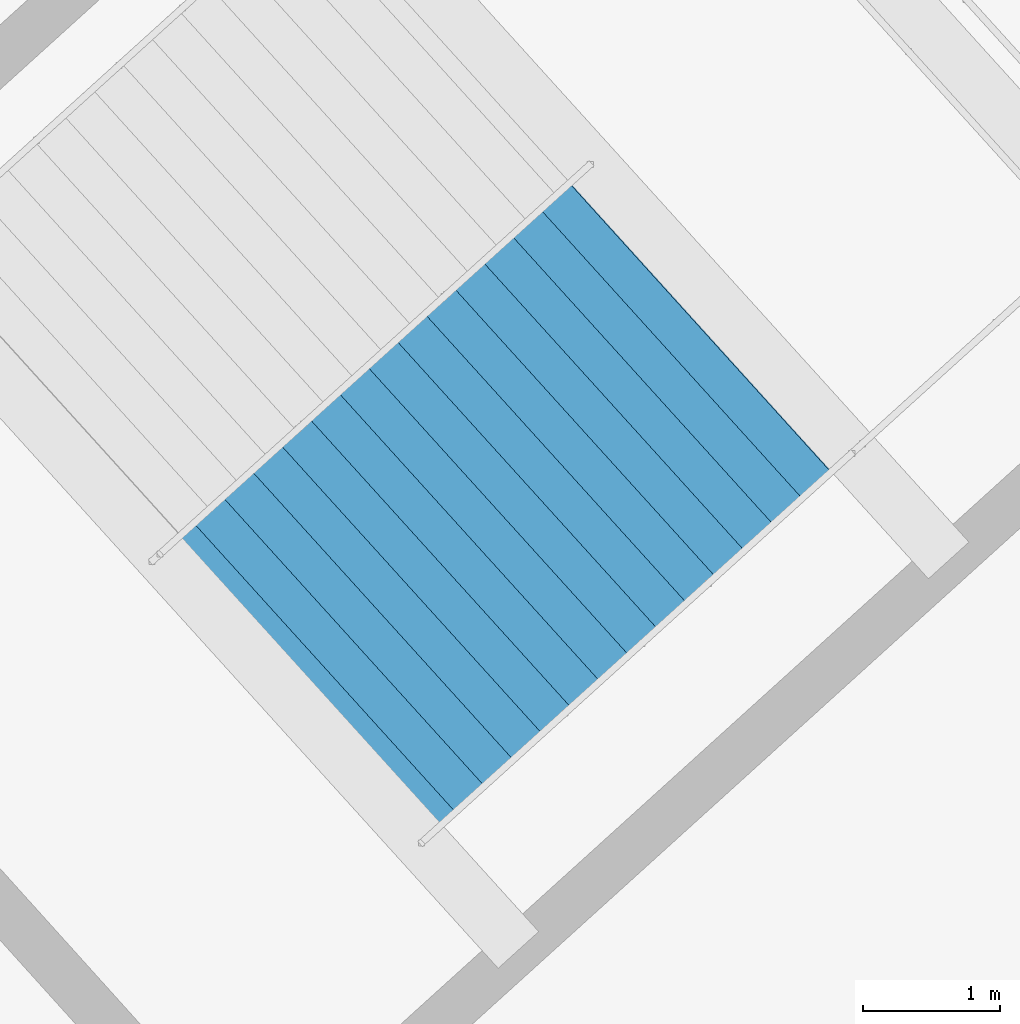
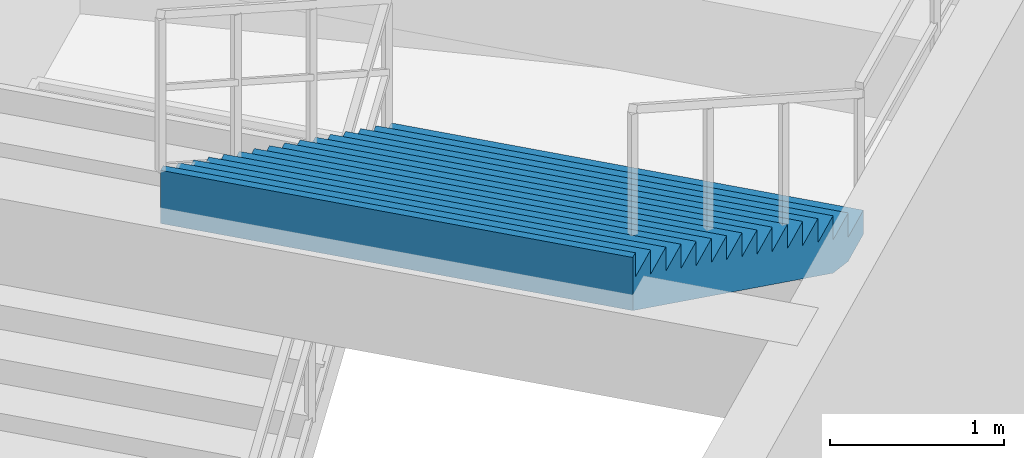
# One storey, part 153 of 186: 1 stair flight, 1 element without a shape of its own.
"""IFC4 building model written with IfcOpenShell, lengths in metres."""

from ifc_helpers import new_model, si_unit, direction, frame, origin, place, context, subcontext, project, spatial, polygons, material, type_object, element, aggregate, save


model = new_model("IFC4")

# Units and contexts
model_context = context("Model", 3, precision=1e-05, world=origin(), true_north=direction((0.0, 1.0)))
body_context = subcontext(model_context, "Body", "Model", "MODEL_VIEW")
ifc_project = project(units=[si_unit("LENGTHUNIT", "METRE"), si_unit("AREAUNIT", "SQUARE_METRE"), si_unit("VOLUMEUNIT", "CUBIC_METRE"), si_unit("PLANEANGLEUNIT", "RADIAN"), si_unit("MASSUNIT", "GRAM", prefix="KILO")], contexts=[model_context])

# Site, building, storey
site_placement = place(None, origin())
site = spatial("IfcSite", under=ifc_project, at=site_placement, CompositionType="ELEMENT")
building_placement = place(site_placement, origin())
building = spatial("IfcBuilding", under=site, at=building_placement, Name="Kazemori Nagisa Stadium", CompositionType="ELEMENT")
storey_placement = place(building_placement, frame((0.0, 0.0, 20.39990234375)))
storey = spatial("IfcBuildingStorey", under=building, at=storey_placement, Name="L04", CompositionType="ELEMENT", Elevation=20.39990234375)

# Stair, stair flight
ifc_material = material(Name="Concrete C36/45 (Fc36)", Category="concrete")
stair_type = type_object("IfcStairType", Name="Stair_CORE_32", PredefinedType="TWO_STRAIGHT_RUN_STAIR", material=ifc_material)
stair_placement = place(storey_placement, origin())
stair = element("IfcStair", 1, at=stair_placement, inside=storey, type_object=stair_type, Name="Exit stair ST04 L04", PredefinedType="TWO_STRAIGHT_RUN_STAIR")
stair_flight_type = type_object("IfcStairFlightType", Name="Flight_CORE_16", PredefinedType="STRAIGHT", material=ifc_material)
stair_flight_placement = place(storey_placement, frame((187.9541015625, 40.25390625, 2.72021484375), z_axis=(0.0, 0.0, 1.0), x_axis=(-0.741328742395, -0.671142083093, 0.0)))
stair_flight = element("IfcStairFlight", 2, at=stair_flight_placement, type_object=stair_flight_type, Name="Exit stair ST04 L04 flight 2", NumberOfRisers=16, NumberOfTreads=15, PredefinedType="STRAIGHT", RiserHeight=0.17, TreadLength=0.285, context=body_context, shape_type="Tessellation", body=[
    polygons([(0.0, -1.425048828125, 0.0), (0.0, -1.425048828125, 0.169921875), (0.284912109375, -1.425048828125, 0.169921875), (0.284912109375, -1.425048828125, 0.340087890625), (0.570068359375, -1.425048828125, 0.340087890625), (0.570068359375, -1.425048828125, 0.510009765625), (0.85498046875, -1.425048828125, 0.510009765625), (0.85498046875, -1.425048828125, 0.679931640625), (1.139892578125, -1.425048828125, 0.679931640625), (1.139892578125, -1.425048828125, 0.85009765625), (1.425048828125, -1.425048828125, 0.85009765625), (1.425048828125, -1.425048828125, 1.02001953125), (1.7099609375, -1.425048828125, 1.02001953125), (1.7099609375, -1.425048828125, 1.18994140625), (1.9951171875, -1.425048828125, 1.18994140625), (1.9951171875, -1.425048828125, 1.360107421875), (2.280029296875, -1.425048828125, 1.360107421875), (2.280029296875, -1.425048828125, 1.530029296875), (2.56494140625, -1.425048828125, 1.530029296875), (2.56494140625, -1.425048828125, 1.699951171875), (2.85009765625, -1.425048828125, 1.699951171875), (2.85009765625, -1.425048828125, 1.8701171875), (3.135009765625, -1.425048828125, 1.8701171875), (3.135009765625, -1.425048828125, 2.0400390625), (3.419921875, -1.425048828125, 2.0400390625), (3.419921875, -1.425048828125, 2.2099609375), (3.705078125, -1.425048828125, 2.2099609375), (3.705078125, -1.425048828125, 2.3798828125), (3.989990234375, -1.425048828125, 2.3798828125), (3.989990234375, -1.425048828125, 2.550048828125), (4.27490234375, -1.425048828125, 2.550048828125), (4.27490234375, -1.425048828125, 2.719970703125), (4.324951171875, -1.425048828125, 2.719970703125), (4.324951171875, -1.425048828125, 2.346923828125), (4.27490234375, -1.425048828125, 2.317138671875), (3.989990234375, -1.425048828125, 2.147216796875), (3.705078125, -1.425048828125, 1.977294921875), (3.419921875, -1.425048828125, 1.80712890625), (3.135009765625, -1.425048828125, 1.63720703125), (2.85009765625, -1.425048828125, 1.46728515625), (2.56494140625, -1.425048828125, 1.297119140625), (2.280029296875, -1.425048828125, 1.127197265625), (1.9951171875, -1.425048828125, 0.957275390625), (1.7099609375, -1.425048828125, 0.787109375), (1.425048828125, -1.425048828125, 0.6171875), (1.139892578125, -1.425048828125, 0.447265625), (0.85498046875, -1.425048828125, 0.277099609375), (0.570068359375, -1.425048828125, 0.107177734375), (0.284912109375, -1.425048828125, 0.0), (0.0, -0.08544921875, 0.0), (0.0, -0.08544921875, 0.169921875), (0.284912109375, -0.08544921875, 0.169921875), (0.284912109375, -0.08544921875, 0.340087890625), (0.570068359375, -0.08544921875, 0.340087890625), (0.570068359375, -0.08544921875, 0.510009765625), (0.85498046875, -0.08544921875, 0.510009765625), (0.85498046875, -0.08544921875, 0.679931640625), (1.139892578125, -0.08544921875, 0.679931640625), (1.139892578125, -0.08544921875, 0.85009765625), (1.425048828125, -0.08544921875, 0.85009765625), (1.425048828125, -0.08544921875, 1.02001953125), (1.7099609375, -0.08544921875, 1.02001953125), (1.7099609375, -0.08544921875, 1.18994140625), (1.9951171875, -0.08544921875, 1.18994140625), (1.9951171875, -0.08544921875, 1.360107421875), (2.280029296875, -0.08544921875, 1.360107421875), (2.280029296875, -0.08544921875, 1.530029296875), (2.56494140625, -0.08544921875, 1.530029296875), (2.56494140625, -0.08544921875, 1.699951171875), (2.85009765625, -0.08544921875, 1.699951171875), (2.85009765625, -0.08544921875, 1.8701171875), (3.135009765625, -0.08544921875, 1.8701171875), (3.135009765625, -0.08544921875, 2.0400390625), (3.419921875, -0.08544921875, 2.0400390625), (3.419921875, -0.08544921875, 2.2099609375), (3.705078125, -0.08544921875, 2.2099609375), (3.705078125, -0.08544921875, 2.3798828125), (3.989990234375, -0.08544921875, 2.3798828125), (3.989990234375, -0.08544921875, 2.550048828125), (4.27490234375, -0.08544921875, 2.550048828125), (4.27490234375, -0.08544921875, 2.719970703125), (4.324951171875, -0.08544921875, 2.719970703125), (4.324951171875, -0.08544921875, 2.346923828125), (4.27490234375, -0.08544921875, 2.317138671875), (3.989990234375, -0.08544921875, 2.147216796875), (3.705078125, -0.08544921875, 1.977294921875), (3.419921875, -0.08544921875, 1.80712890625), (3.135009765625, -0.08544921875, 1.63720703125), (2.85009765625, -0.08544921875, 1.46728515625), (2.56494140625, -0.08544921875, 1.297119140625), (2.280029296875, -0.08544921875, 1.127197265625), (1.9951171875, -0.08544921875, 0.957275390625), (1.7099609375, -0.08544921875, 0.787109375), (1.425048828125, -0.08544921875, 0.6171875), (1.139892578125, -0.08544921875, 0.447265625), (0.85498046875, -0.08544921875, 0.277099609375), (0.570068359375, -0.08544921875, 0.107177734375), (0.284912109375, -0.08544921875, 0.0), (0.0, 0.0, 0.0), (0.0, 0.0, 0.169921875), (0.284912109375, 0.0, 0.169921875), (0.284912109375, 0.0, 0.340087890625), (0.570068359375, 0.0, 0.340087890625), (0.570068359375, 0.0, 0.510009765625), (0.85498046875, 0.0, 0.510009765625), (0.85498046875, 0.0, 0.679931640625), (1.139892578125, 0.0, 0.679931640625), (1.139892578125, 0.0, 0.85009765625), (1.425048828125, 0.0, 0.85009765625), (1.425048828125, 0.0, 1.02001953125), (1.7099609375, 0.0, 1.02001953125), (1.7099609375, 0.0, 1.18994140625), (1.9951171875, 0.0, 1.18994140625), (1.9951171875, 0.0, 1.360107421875), (2.280029296875, 0.0, 1.360107421875), (2.280029296875, 0.0, 1.530029296875), (2.56494140625, 0.0, 1.530029296875), (2.56494140625, 0.0, 1.699951171875), (2.85009765625, 0.0, 1.699951171875), (2.85009765625, 0.0, 1.8701171875), (3.135009765625, 0.0, 1.8701171875), (3.135009765625, 0.0, 2.0400390625), (3.419921875, 0.0, 2.0400390625), (3.419921875, 0.0, 2.2099609375), (3.705078125, 0.0, 2.2099609375), (3.705078125, 0.0, 2.3798828125), (3.989990234375, 0.0, 2.3798828125), (3.989990234375, 0.0, 2.550048828125), (4.27490234375, 0.0, 2.550048828125), (4.27490234375, 0.0, 2.719970703125), (4.324951171875, 0.0, 2.719970703125), (4.324951171875, 0.0, 2.346923828125), (4.27490234375, 0.0, 2.317138671875), (3.989990234375, 0.0, 2.147216796875), (3.705078125, 0.0, 1.977294921875), (3.419921875, 0.0, 1.80712890625), (3.135009765625, 0.0, 1.63720703125), (2.85009765625, 0.0, 1.46728515625), (2.56494140625, 0.0, 1.297119140625), (2.280029296875, 0.0, 1.127197265625), (1.9951171875, 0.0, 0.957275390625), (1.7099609375, 0.0, 0.787109375), (1.425048828125, 0.0, 0.6171875), (1.139892578125, 0.0, 0.447265625), (0.85498046875, 0.0, 0.277099609375), (0.570068359375, 0.0, 0.107177734375), (0.284912109375, 0.0, 0.0), (0.0, 0.08544921875, 0.0), (0.0, 0.08544921875, 0.169921875), (0.284912109375, 0.08544921875, 0.169921875), (0.284912109375, 0.08544921875, 0.340087890625), (0.570068359375, 0.08544921875, 0.340087890625), (0.570068359375, 0.08544921875, 0.510009765625), (0.85498046875, 0.08544921875, 0.510009765625), (0.85498046875, 0.08544921875, 0.679931640625), (1.139892578125, 0.08544921875, 0.679931640625), (1.139892578125, 0.08544921875, 0.85009765625), (1.425048828125, 0.08544921875, 0.85009765625), (1.425048828125, 0.08544921875, 1.02001953125), (1.7099609375, 0.08544921875, 1.02001953125), (1.7099609375, 0.08544921875, 1.18994140625), (1.9951171875, 0.08544921875, 1.18994140625), (1.9951171875, 0.08544921875, 1.360107421875), (2.280029296875, 0.08544921875, 1.360107421875), (2.280029296875, 0.08544921875, 1.530029296875), (2.56494140625, 0.08544921875, 1.530029296875), (2.56494140625, 0.08544921875, 1.699951171875), (2.85009765625, 0.08544921875, 1.699951171875), (2.85009765625, 0.08544921875, 1.8701171875), (3.135009765625, 0.08544921875, 1.8701171875), (3.135009765625, 0.08544921875, 2.0400390625), (3.419921875, 0.08544921875, 2.0400390625), (3.419921875, 0.08544921875, 2.2099609375), (3.705078125, 0.08544921875, 2.2099609375), (3.705078125, 0.08544921875, 2.3798828125), (3.989990234375, 0.08544921875, 2.3798828125), (3.989990234375, 0.08544921875, 2.550048828125), (4.27490234375, 0.08544921875, 2.550048828125), (4.27490234375, 0.08544921875, 2.719970703125), (4.324951171875, 0.08544921875, 2.719970703125), (4.324951171875, 0.08544921875, 2.346923828125), (4.27490234375, 0.08544921875, 2.317138671875), (3.989990234375, 0.08544921875, 2.147216796875), (3.705078125, 0.08544921875, 1.977294921875), (3.419921875, 0.08544921875, 1.80712890625), (3.135009765625, 0.08544921875, 1.63720703125), (2.85009765625, 0.08544921875, 1.46728515625), (2.56494140625, 0.08544921875, 1.297119140625), (2.280029296875, 0.08544921875, 1.127197265625), (1.9951171875, 0.08544921875, 0.957275390625), (1.7099609375, 0.08544921875, 0.787109375), (1.425048828125, 0.08544921875, 0.6171875), (1.139892578125, 0.08544921875, 0.447265625), (0.85498046875, 0.08544921875, 0.277099609375), (0.570068359375, 0.08544921875, 0.107177734375), (0.284912109375, 0.08544921875, 0.0), (0.0, 1.425048828125, 0.0), (0.0, 1.425048828125, 0.169921875), (0.284912109375, 1.425048828125, 0.169921875), (0.284912109375, 1.425048828125, 0.340087890625), (0.570068359375, 1.425048828125, 0.340087890625), (0.570068359375, 1.425048828125, 0.510009765625), (0.85498046875, 1.425048828125, 0.510009765625), (0.85498046875, 1.425048828125, 0.679931640625), (1.139892578125, 1.425048828125, 0.679931640625), (1.139892578125, 1.425048828125, 0.85009765625), (1.425048828125, 1.425048828125, 0.85009765625), (1.425048828125, 1.425048828125, 1.02001953125), (1.7099609375, 1.425048828125, 1.02001953125), (1.7099609375, 1.425048828125, 1.18994140625), (1.9951171875, 1.425048828125, 1.18994140625), (1.9951171875, 1.425048828125, 1.360107421875), (2.280029296875, 1.425048828125, 1.360107421875), (2.280029296875, 1.425048828125, 1.530029296875), (2.56494140625, 1.425048828125, 1.530029296875), (2.56494140625, 1.425048828125, 1.699951171875), (2.85009765625, 1.425048828125, 1.699951171875), (2.85009765625, 1.425048828125, 1.8701171875), (3.135009765625, 1.425048828125, 1.8701171875), (3.135009765625, 1.425048828125, 2.0400390625), (3.419921875, 1.425048828125, 2.0400390625), (3.419921875, 1.425048828125, 2.2099609375), (3.705078125, 1.425048828125, 2.2099609375), (3.705078125, 1.425048828125, 2.3798828125), (3.989990234375, 1.425048828125, 2.3798828125), (3.989990234375, 1.425048828125, 2.550048828125), (4.27490234375, 1.425048828125, 2.550048828125), (4.27490234375, 1.425048828125, 2.719970703125), (4.324951171875, 1.425048828125, 2.719970703125), (4.324951171875, 1.425048828125, 2.346923828125), (4.27490234375, 1.425048828125, 2.317138671875), (3.989990234375, 1.425048828125, 2.147216796875), (3.705078125, 1.425048828125, 1.977294921875), (3.419921875, 1.425048828125, 1.80712890625), (3.135009765625, 1.425048828125, 1.63720703125), (2.85009765625, 1.425048828125, 1.46728515625), (2.56494140625, 1.425048828125, 1.297119140625), (2.280029296875, 1.425048828125, 1.127197265625), (1.9951171875, 1.425048828125, 0.957275390625), (1.7099609375, 1.425048828125, 0.787109375), (1.425048828125, 1.425048828125, 0.6171875), (1.139892578125, 1.425048828125, 0.447265625), (0.85498046875, 1.425048828125, 0.277099609375), (0.570068359375, 1.425048828125, 0.107177734375), (0.284912109375, 1.425048828125, 0.0)], [[[1, 2, 51]], [[1, 51, 50]], [[2, 3, 52]], [[2, 52, 51]], [[3, 4, 53]], [[3, 53, 52]], [[4, 5, 54]], [[4, 54, 53]], [[5, 6, 55]], [[5, 55, 54]], [[6, 7, 56]], [[6, 56, 55]], [[7, 8, 57]], [[7, 57, 56]], [[8, 9, 58]], [[8, 58, 57]], [[9, 10, 59]], [[9, 59, 58]], [[10, 11, 60]], [[10, 60, 59]], [[11, 12, 61]], [[11, 61, 60]], [[12, 13, 62]], [[12, 62, 61]], [[13, 14, 63]], [[13, 63, 62]], [[14, 15, 64]], [[14, 64, 63]], [[15, 16, 65]], [[15, 65, 64]], [[16, 17, 66]], [[16, 66, 65]], [[17, 18, 67]], [[17, 67, 66]], [[18, 19, 68]], [[18, 68, 67]], [[19, 20, 69]], [[19, 69, 68]], [[20, 21, 70]], [[20, 70, 69]], [[21, 22, 71]], [[21, 71, 70]], [[22, 23, 72]], [[22, 72, 71]], [[23, 24, 73]], [[23, 73, 72]], [[24, 25, 74]], [[24, 74, 73]], [[25, 26, 75]], [[25, 75, 74]], [[26, 27, 76]], [[26, 76, 75]], [[27, 28, 77]], [[27, 77, 76]], [[28, 29, 78]], [[28, 78, 77]], [[29, 30, 79]], [[29, 79, 78]], [[30, 31, 80]], [[30, 80, 79]], [[31, 32, 81]], [[31, 81, 80]], [[32, 33, 82]], [[32, 82, 81]], [[33, 34, 83]], [[33, 83, 82]], [[34, 35, 84]], [[34, 84, 83]], [[35, 36, 85]], [[35, 85, 84]], [[36, 37, 86]], [[36, 86, 85]], [[37, 38, 87]], [[37, 87, 86]], [[38, 39, 88]], [[38, 88, 87]], [[39, 40, 89]], [[39, 89, 88]], [[40, 41, 90]], [[40, 90, 89]], [[41, 42, 91]], [[41, 91, 90]], [[42, 43, 92]], [[42, 92, 91]], [[43, 44, 93]], [[43, 93, 92]], [[44, 45, 94]], [[44, 94, 93]], [[45, 46, 95]], [[45, 95, 94]], [[46, 47, 96]], [[46, 96, 95]], [[47, 48, 97]], [[47, 97, 96]], [[48, 49, 98]], [[48, 98, 97]], [[49, 1, 50]], [[49, 50, 98]], [[50, 51, 100]], [[50, 100, 99]], [[51, 52, 101]], [[51, 101, 100]], [[52, 53, 102]], [[52, 102, 101]], [[53, 54, 103]], [[53, 103, 102]], [[54, 55, 104]], [[54, 104, 103]], [[55, 56, 105]], [[55, 105, 104]], [[56, 57, 106]], [[56, 106, 105]], [[57, 58, 107]], [[57, 107, 106]], [[58, 59, 108]], [[58, 108, 107]], [[59, 60, 109]], [[59, 109, 108]], [[60, 61, 110]], [[60, 110, 109]], [[61, 62, 111]], [[61, 111, 110]], [[62, 63, 112]], [[62, 112, 111]], [[63, 64, 113]], [[63, 113, 112]], [[64, 65, 114]], [[64, 114, 113]], [[65, 66, 115]], [[65, 115, 114]], [[66, 67, 116]], [[66, 116, 115]], [[67, 68, 117]], [[67, 117, 116]], [[68, 69, 118]], [[68, 118, 117]], [[69, 70, 119]], [[69, 119, 118]], [[70, 71, 120]], [[70, 120, 119]], [[71, 72, 121]], [[71, 121, 120]], [[72, 73, 122]], [[72, 122, 121]], [[73, 74, 123]], [[73, 123, 122]], [[74, 75, 124]], [[74, 124, 123]], [[75, 76, 125]], [[75, 125, 124]], [[76, 77, 126]], [[76, 126, 125]], [[77, 78, 127]], [[77, 127, 126]], [[78, 79, 128]], [[78, 128, 127]], [[79, 80, 129]], [[79, 129, 128]], [[80, 81, 130]], [[80, 130, 129]], [[81, 82, 131]], [[81, 131, 130]], [[82, 83, 132]], [[82, 132, 131]], [[83, 84, 133]], [[83, 133, 132]], [[84, 85, 134]], [[84, 134, 133]], [[85, 86, 135]], [[85, 135, 134]], [[86, 87, 136]], [[86, 136, 135]], [[87, 88, 137]], [[87, 137, 136]], [[88, 89, 138]], [[88, 138, 137]], [[89, 90, 139]], [[89, 139, 138]], [[90, 91, 140]], [[90, 140, 139]], [[91, 92, 141]], [[91, 141, 140]], [[92, 93, 142]], [[92, 142, 141]], [[93, 94, 143]], [[93, 143, 142]], [[94, 95, 144]], [[94, 144, 143]], [[95, 96, 145]], [[95, 145, 144]], [[96, 97, 146]], [[96, 146, 145]], [[97, 98, 147]], [[97, 147, 146]], [[98, 50, 99]], [[98, 99, 147]], [[99, 100, 149]], [[99, 149, 148]], [[100, 101, 150]], [[100, 150, 149]], [[101, 102, 151]], [[101, 151, 150]], [[102, 103, 152]], [[102, 152, 151]], [[103, 104, 153]], [[103, 153, 152]], [[104, 105, 154]], [[104, 154, 153]], [[105, 106, 155]], [[105, 155, 154]], [[106, 107, 156]], [[106, 156, 155]], [[107, 108, 157]], [[107, 157, 156]], [[108, 109, 158]], [[108, 158, 157]], [[109, 110, 159]], [[109, 159, 158]], [[110, 111, 160]], [[110, 160, 159]], [[111, 112, 161]], [[111, 161, 160]], [[112, 113, 162]], [[112, 162, 161]], [[113, 114, 163]], [[113, 163, 162]], [[114, 115, 164]], [[114, 164, 163]], [[115, 116, 165]], [[115, 165, 164]], [[116, 117, 166]], [[116, 166, 165]], [[117, 118, 167]], [[117, 167, 166]], [[118, 119, 168]], [[118, 168, 167]], [[119, 120, 169]], [[119, 169, 168]], [[120, 121, 170]], [[120, 170, 169]], [[121, 122, 171]], [[121, 171, 170]], [[122, 123, 172]], [[122, 172, 171]], [[123, 124, 173]], [[123, 173, 172]], [[124, 125, 174]], [[124, 174, 173]], [[125, 126, 175]], [[125, 175, 174]], [[126, 127, 176]], [[126, 176, 175]], [[127, 128, 177]], [[127, 177, 176]], [[128, 129, 178]], [[128, 178, 177]], [[129, 130, 179]], [[129, 179, 178]], [[130, 131, 180]], [[130, 180, 179]], [[131, 132, 181]], [[131, 181, 180]], [[132, 133, 182]], [[132, 182, 181]], [[133, 134, 183]], [[133, 183, 182]], [[134, 135, 184]], [[134, 184, 183]], [[135, 136, 185]], [[135, 185, 184]], [[136, 137, 186]], [[136, 186, 185]], [[137, 138, 187]], [[137, 187, 186]], [[138, 139, 188]], [[138, 188, 187]], [[139, 140, 189]], [[139, 189, 188]], [[140, 141, 190]], [[140, 190, 189]], [[141, 142, 191]], [[141, 191, 190]], [[142, 143, 192]], [[142, 192, 191]], [[143, 144, 193]], [[143, 193, 192]], [[144, 145, 194]], [[144, 194, 193]], [[145, 146, 195]], [[145, 195, 194]], [[146, 147, 196]], [[146, 196, 195]], [[147, 99, 148]], [[147, 148, 196]], [[148, 149, 198]], [[148, 198, 197]], [[149, 150, 199]], [[149, 199, 198]], [[150, 151, 200]], [[150, 200, 199]], [[151, 152, 201]], [[151, 201, 200]], [[152, 153, 202]], [[152, 202, 201]], [[153, 154, 203]], [[153, 203, 202]], [[154, 155, 204]], [[154, 204, 203]], [[155, 156, 205]], [[155, 205, 204]], [[156, 157, 206]], [[156, 206, 205]], [[157, 158, 207]], [[157, 207, 206]], [[158, 159, 208]], [[158, 208, 207]], [[159, 160, 209]], [[159, 209, 208]], [[160, 161, 210]], [[160, 210, 209]], [[161, 162, 211]], [[161, 211, 210]], [[162, 163, 212]], [[162, 212, 211]], [[163, 164, 213]], [[163, 213, 212]], [[164, 165, 214]], [[164, 214, 213]], [[165, 166, 215]], [[165, 215, 214]], [[166, 167, 216]], [[166, 216, 215]], [[167, 168, 217]], [[167, 217, 216]], [[168, 169, 218]], [[168, 218, 217]], [[169, 170, 219]], [[169, 219, 218]], [[170, 171, 220]], [[170, 220, 219]], [[171, 172, 221]], [[171, 221, 220]], [[172, 173, 222]], [[172, 222, 221]], [[173, 174, 223]], [[173, 223, 222]], [[174, 175, 224]], [[174, 224, 223]], [[175, 176, 225]], [[175, 225, 224]], [[176, 177, 226]], [[176, 226, 225]], [[177, 178, 227]], [[177, 227, 226]], [[178, 179, 228]], [[178, 228, 227]], [[179, 180, 229]], [[179, 229, 228]], [[180, 181, 230]], [[180, 230, 229]], [[181, 182, 231]], [[181, 231, 230]], [[182, 183, 232]], [[182, 232, 231]], [[183, 184, 233]], [[183, 233, 232]], [[184, 185, 234]], [[184, 234, 233]], [[185, 186, 235]], [[185, 235, 234]], [[186, 187, 236]], [[186, 236, 235]], [[187, 188, 237]], [[187, 237, 236]], [[188, 189, 238]], [[188, 238, 237]], [[189, 190, 239]], [[189, 239, 238]], [[190, 191, 240]], [[190, 240, 239]], [[191, 192, 241]], [[191, 241, 240]], [[192, 193, 242]], [[192, 242, 241]], [[193, 194, 243]], [[193, 243, 242]], [[194, 195, 244]], [[194, 244, 243]], [[195, 196, 245]], [[195, 245, 244]], [[196, 148, 197]], [[196, 197, 245]], [[3, 2, 1]], [[197, 198, 199]], [[49, 3, 1]], [[197, 199, 245]], [[48, 3, 49]], [[245, 199, 244]], [[5, 3, 48]], [[244, 199, 201]], [[5, 4, 3]], [[199, 200, 201]], [[47, 5, 48]], [[244, 201, 243]], [[7, 5, 47]], [[243, 201, 203]], [[7, 6, 5]], [[201, 202, 203]], [[46, 7, 47]], [[243, 203, 242]], [[9, 7, 46]], [[242, 203, 205]], [[9, 8, 7]], [[203, 204, 205]], [[45, 9, 46]], [[242, 205, 241]], [[11, 9, 45]], [[241, 205, 207]], [[11, 10, 9]], [[205, 206, 207]], [[44, 11, 45]], [[241, 207, 240]], [[13, 11, 44]], [[240, 207, 209]], [[13, 12, 11]], [[207, 208, 209]], [[43, 13, 44]], [[240, 209, 239]], [[15, 13, 43]], [[239, 209, 211]], [[15, 14, 13]], [[209, 210, 211]], [[42, 15, 43]], [[239, 211, 238]], [[17, 15, 42]], [[238, 211, 213]], [[17, 16, 15]], [[211, 212, 213]], [[41, 17, 42]], [[238, 213, 237]], [[19, 17, 41]], [[237, 213, 215]], [[19, 18, 17]], [[213, 214, 215]], [[40, 19, 41]], [[237, 215, 236]], [[21, 19, 40]], [[236, 215, 217]], [[21, 20, 19]], [[215, 216, 217]], [[39, 21, 40]], [[236, 217, 235]], [[23, 21, 39]], [[235, 217, 219]], [[23, 22, 21]], [[217, 218, 219]], [[38, 23, 39]], [[235, 219, 234]], [[25, 23, 38]], [[234, 219, 221]], [[25, 24, 23]], [[219, 220, 221]], [[37, 25, 38]], [[234, 221, 233]], [[27, 25, 37]], [[233, 221, 223]], [[27, 26, 25]], [[221, 222, 223]], [[36, 27, 37]], [[233, 223, 232]], [[29, 27, 36]], [[232, 223, 225]], [[29, 28, 27]], [[223, 224, 225]], [[35, 29, 36]], [[232, 225, 231]], [[31, 29, 35]], [[231, 225, 227]], [[31, 30, 29]], [[225, 226, 227]], [[34, 31, 35]], [[231, 227, 230]], [[33, 31, 34]], [[230, 227, 229]], [[33, 32, 31]], [[227, 228, 229]]], closed=True),
])
aggregate(stair, [stair_flight])

save(model, "model.ifc")
